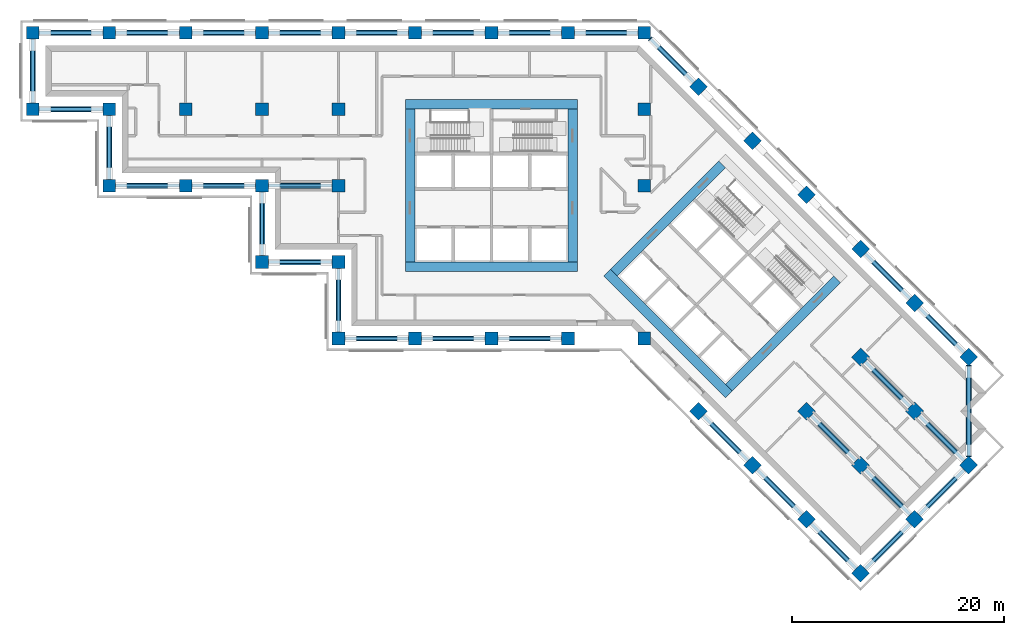
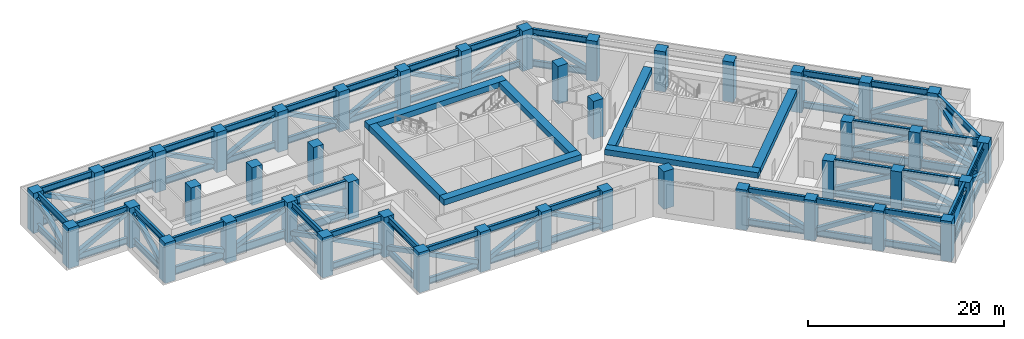
# One storey, part 1 of 8: 99 members, 43 columns, 8 beams.
"""IFC4 building model written with IfcOpenShell, lengths in metres."""

import ifcopenshell
import ifcopenshell.guid

model = None  # the IFC model being written
_history = None  # IfcOwnerHistory: only IFC2X3 demands one
_inside = {}  # id of a spatial element -> (the spatial element, [elements in it])
_under = {}  # id of a project, library or spatial element -> (it, [spatial elements below it])
_declared = {}  # id of a project -> (the project, [libraries it declares])
_typed = {}  # id of a type object -> (the type object, [elements of that type])
_made_of = {}  # id of a material, layer set ... -> (it, [elements and type objects made of it])


def new_model(schema):
    """Start an empty IFC model of exactly this schema.

    Asked for "IFC4X3", IfcOpenShell would pick the latest addendum, in which some entities
    have other attributes; the version numbers below select the first issue.
    IFC2X3 requires an IfcOwnerHistory on every rooted entity: one is made here for all.
    """
    global model, _history
    if schema == "IFC4X3":
        model = ifcopenshell.file(schema_version=(4, 3, 0, 0))
    else:
        model = ifcopenshell.file(schema=schema)
    _inside.clear()
    _under.clear()
    _declared.clear()
    _typed.clear()
    _made_of.clear()
    _history = None
    if model.schema == "IFC2X3":
        org = make("IfcOrganization", Name="unknown")
        user = make(
            "IfcPersonAndOrganization",
            ThePerson=make("IfcPerson", FamilyName="unknown"),
            TheOrganization=org,
        )
        app = make(
            "IfcApplication",
            ApplicationDeveloper=org,
            Version="unknown",
            ApplicationFullName="unknown",
            ApplicationIdentifier="unknown",
        )
        _history = make(
            "IfcOwnerHistory",
            OwningUser=user,
            OwningApplication=app,
            ChangeAction="ADDED",
            CreationDate=0,
        )
    return model


def make(cls, **values):
    """One entity of the class cls with the attributes given. An attribute that is None is left unset."""
    return model.create_entity(
        cls, **{name: value for name, value in values.items() if value is not None}
    )


def rooted(cls, **values):
    """An entity with a GlobalId (a new one), such as an element, a storey or a relation."""
    return make(cls, GlobalId=ifcopenshell.guid.new(), OwnerHistory=_history, **values)


def si_unit(unit_type, name, prefix=None):
    """IfcSIUnit, for example si_unit("LENGTHUNIT", "METRE", prefix="MILLI")."""
    return make("IfcSIUnit", UnitType=unit_type, Prefix=prefix, Name=name)


def assignment(units):
    """IfcUnitAssignment: the units of a project."""
    return None if units is None else make("IfcUnitAssignment", Units=units)


def point(xyz):
    """IfcCartesianPoint."""
    return None if xyz is None else make("IfcCartesianPoint", Coordinates=xyz)


def direction(xyz):
    """IfcDirection."""
    return None if xyz is None else make("IfcDirection", DirectionRatios=xyz)


def frame(location, z_axis=None, x_axis=None):
    """IfcAxis2Placement3D, a coordinate frame: its origin and axes. An axis left out is left unset."""
    return make(
        "IfcAxis2Placement3D",
        Location=point(location),
        Axis=direction(z_axis),
        RefDirection=direction(x_axis),
    )


def frame_2d(location, x_axis=None):
    """IfcAxis2Placement2D, a coordinate frame in the plane: its origin and x axis."""
    return make(
        "IfcAxis2Placement2D", Location=point(location), RefDirection=direction(x_axis)
    )


def origin():
    """The frame at (0, 0, 0) with its axes left unset."""
    return frame((0.0, 0.0, 0.0))


def origin_2d():
    """The frame at (0, 0) in the plane with its x axis left unset."""
    return frame_2d((0.0, 0.0))


def place(relative_to, where):
    """IfcLocalPlacement: puts the frame where relative to a parent placement (None: the world)."""
    return make(
        "IfcLocalPlacement", PlacementRelTo=relative_to, RelativePlacement=where
    )


def context(
    kind, dimensions, precision=None, world=None, true_north=None, identifier=None
):
    """IfcGeometricRepresentationContext, for example the 3D "Model" context."""
    return make(
        "IfcGeometricRepresentationContext",
        ContextIdentifier=identifier,
        ContextType=kind,
        CoordinateSpaceDimension=dimensions,
        Precision=precision,
        WorldCoordinateSystem=world,
        TrueNorth=true_north,
    )


def subcontext(parent, identifier, kind, view, scale=None):
    """IfcGeometricRepresentationSubContext, for example "Body" below "Model"."""
    return make(
        "IfcGeometricRepresentationSubContext",
        ContextIdentifier=identifier,
        ContextType=kind,
        ParentContext=parent,
        TargetScale=scale,
        TargetView=view,
    )


def project(units=None, contexts=None):
    """IfcProject with its units and contexts."""
    return rooted(
        "IfcProject",
        Name="project",
        RepresentationContexts=contexts,
        UnitsInContext=assignment(units),
    )


def spatial(cls, under=None, at=None, **own):
    """A site, building, storey or space (cls), placed at a placement, below another one or the project."""
    s = rooted(cls, ObjectPlacement=at, **own)
    if under is not None:
        _under.setdefault(under.id(), (under, []))[1].append(s)
    return s


def profile(cls, at=None, kind="AREA", **sizes):
    """A parametric profile (cls). Its sizes go by their IFC names, for example OverallWidth=200.0."""
    return make(cls, ProfileType=kind, Position=at, **sizes)


def rectangle(**sizes):
    """IfcRectangleProfileDef."""
    return profile("IfcRectangleProfileDef", **sizes)


def hollow_rectangle(**sizes):
    """IfcRectangleHollowProfileDef."""
    return profile("IfcRectangleHollowProfileDef", **sizes)


def i_section(**sizes):
    """IfcIShapeProfileDef."""
    return profile("IfcIShapeProfileDef", **sizes)


def extrude(swept, where, along, depth):
    """IfcExtrudedAreaSolid: the profile swept, set in the frame where, extruded along a direction by depth."""
    return make(
        "IfcExtrudedAreaSolid",
        SweptArea=swept,
        Position=where,
        ExtrudedDirection=direction(along),
        Depth=depth,
    )


def shape(context_of_items, identifier, shape_type, items):
    """IfcShapeRepresentation: the items that make up one representation, for example the "Body"."""
    return make(
        "IfcShapeRepresentation",
        ContextOfItems=context_of_items,
        RepresentationIdentifier=identifier,
        RepresentationType=shape_type,
        Items=items,
    )


def material(Name=None, Category=None):
    """IfcMaterial."""
    return make("IfcMaterial", Name=Name, Category=Category)


def material_profile(
    of_material, cross_section, Name=None, Category=None, Priority=None
):
    """IfcMaterialProfile: a cross section and its material."""
    return make(
        "IfcMaterialProfile",
        Name=Name,
        Material=of_material,
        Profile=cross_section,
        Priority=Priority,
        Category=Category,
    )


def profile_set(profiles, Name=None, composite=None):
    """IfcMaterialProfileSet."""
    return make(
        "IfcMaterialProfileSet",
        Name=Name,
        MaterialProfiles=profiles,
        CompositeProfile=composite,
    )


def made_of(thing, what):
    """Note that an element or type object is made of a material, layer set ...; save() writes the relation."""
    if what is not None:
        _made_of.setdefault(what.id(), (what, []))[1].append(thing)
    return thing


def type_object(cls, material=None, **own):
    """A type object (cls), such as IfcWallType, which elements share."""
    return made_of(rooted(cls, **own), material)


def element(
    cls,
    number,
    at=None,
    inside=None,
    cuts=None,
    type_object=None,
    material=None,
    context=None,
    identifier="Body",
    shape_type=None,
    held_by="IfcProductDefinitionShape",
    body=None,
    shapes=None,
    **own,
):
    """One element of the class cls, such as IfcWall. Its Tag is "e" and its number.

    at: its placement. inside: the storey or other place that contains it. cuts: it is an
    opening in that element (IfcRelVoidsElement). A single representation is given by context,
    identifier, shape_type and body (its items); several are given by shapes. held_by: the class
    of the entity that holds the representations. save() writes the other relations.
    """
    e = rooted(cls, Tag="e%d" % number, ObjectPlacement=at, **own)
    if body is not None:
        shapes = [shape(context, identifier, shape_type, body)]
    if shapes is not None:
        e.Representation = make(held_by, Representations=shapes)
    if inside is not None:
        _inside.setdefault(inside.id(), (inside, []))[1].append(e)
    if cuts is not None:
        rooted(
            "IfcRelVoidsElement", RelatingBuildingElement=cuts, RelatedOpeningElement=e
        )
    if type_object is not None:
        _typed.setdefault(type_object.id(), (type_object, []))[1].append(e)
    return made_of(e, material)


def aggregate(whole, parts):
    """IfcRelAggregates: a whole, such as a stair, and the parts it consists of."""
    return rooted("IfcRelAggregates", RelatingObject=whole, RelatedObjects=parts)


def save(model, path):
    """Write the relations noted so far, then the file.

    IfcRelAggregates (storeys below a building ...), IfcRelContainedInSpatialStructure (elements
    in a storey), IfcRelDefinesByType, IfcRelAssociatesMaterial and IfcRelDeclares: one each for
    every whole, place, type object, material and project.
    """
    for whole, parts in _under.values():
        aggregate(whole, parts)
    for where, things in _inside.values():
        rooted(
            "IfcRelContainedInSpatialStructure",
            RelatedElements=things,
            RelatingStructure=where,
        )
    for kind, things in _typed.values():
        rooted("IfcRelDefinesByType", RelatedObjects=things, RelatingType=kind)
    for what, things in _made_of.values():
        rooted("IfcRelAssociatesMaterial", RelatedObjects=things, RelatingMaterial=what)
    for by, libraries in _declared.values():
        rooted("IfcRelDeclares", RelatingContext=by, RelatedDefinitions=libraries)
    model.write(path)


model = new_model("IFC4")

# Units and contexts
model_context = context("Model", 3, precision=1e-05, world=origin(), true_north=direction((0.0, 1.0)))
body_context = subcontext(model_context, "Body", "Model", "MODEL_VIEW")
ifc_project = project(units=[si_unit("LENGTHUNIT", "METRE"), si_unit("AREAUNIT", "SQUARE_METRE"), si_unit("VOLUMEUNIT", "CUBIC_METRE"), si_unit("PLANEANGLEUNIT", "RADIAN"), si_unit("MASSUNIT", "GRAM", prefix="KILO")], contexts=[model_context])

# Site, building, storey
site_placement = place(None, origin())
site = spatial("IfcSite", under=ifc_project, at=site_placement, CompositionType="ELEMENT")
building_placement = place(site_placement, origin())
building = spatial("IfcBuilding", under=site, at=building_placement, Name="Windrow Commons", CompositionType="ELEMENT")
storey_placement = place(building_placement, frame((0.0, 0.0, 72.0)))
storey = spatial("IfcBuildingStorey", under=building, at=storey_placement, Name="L19", CompositionType="ELEMENT", Elevation=72.0)

# Columns
ifc_material_1 = material(Name="Concrete C60/75", Category="concrete")
ifc_material_profile_1 = material_profile(ifc_material_1, rectangle(XDim=1.2, YDim=1.2, at=origin_2d()))
ifc_profile_set_1 = profile_set([ifc_material_profile_1], Name="Concrete C60/75")
column_type = type_object("IfcColumnType", Name="RC COLUMN 1200x1200 C60/75", PredefinedType="COLUMN", material=ifc_profile_set_1)
for number, where, z_axis, x_axis, name in (
    (1, (21.6, 64.8, -0.3), (0.0, 0.0, 1.0), (1.0, 0.0, 0.0), "C-SG1-04I"),
    (2, (21.6, 72.0, -0.3), (0.0, 0.0, 1.0), (1.0, 0.0, 0.0), "C-SG1-04J"),
    (3, (28.8, 57.6, -0.3), (0.0, 0.0, 1.0), (1.0, 0.0, 0.0), "C-SG1-05H"),
    (4, (28.8, 64.8, -0.3), (0.0, 0.0, 1.0), (1.0, 0.0, 0.0), "C-SG1-05I"),
    (5, (28.8, 72.0, -0.3), (0.0, 0.0, 1.0), (1.0, 0.0, 0.0), "C-SG1-05J"),
    (6, (36.0, 57.6, -0.3), (0.0, 0.0, 1.0), (1.0, 0.0, 0.0), "C-SG1-06H"),
):
    element("IfcColumn", number, at=place(storey_placement, frame(where, z_axis=z_axis, x_axis=x_axis)), inside=storey, type_object=column_type, Name=name, PredefinedType="COLUMN", context=body_context, shape_type="SweptSolid", body=[
        extrude(rectangle(XDim=1.2, YDim=1.2, at=origin_2d()), origin(), (0.0, 0.0, 1.0), 5.0),
    ])
column_1_placement = place(storey_placement, frame((36.0, 64.8, 0.0), z_axis=(0.0, 0.0, 1.0), x_axis=(1.0, 0.0, 0.0)))
element("IfcColumn", 7, at=column_1_placement, inside=storey, type_object=column_type, Name="C-SG1-06I", PredefinedType="COLUMN", context=body_context, shape_type="SweptSolid", body=[
    extrude(rectangle(XDim=1.2, YDim=1.2, at=origin_2d()), origin(), (0.0, 0.0, 1.0), 4.7),
])
for number, where, z_axis, x_axis, name in (
    (8, (36.0, 72.0, -0.3), (0.0, 0.0, 1.0), (1.0, 0.0, 0.0), "C-SG1-06J"),
    (9, (43.2, 50.4, -0.3), (0.0, 0.0, 1.0), (1.0, 0.0, 0.0), "C-SG1-07G"),
    (10, (43.2, 57.6, -0.3), (0.0, 0.0, 1.0), (1.0, 0.0, 0.0), "C-SG1-07H"),
):
    element("IfcColumn", number, at=place(storey_placement, frame(where, z_axis=z_axis, x_axis=x_axis)), inside=storey, type_object=column_type, Name=name, PredefinedType="COLUMN", context=body_context, shape_type="SweptSolid", body=[
        extrude(rectangle(XDim=1.2, YDim=1.2, at=origin_2d()), origin(), (0.0, 0.0, 1.0), 5.0),
    ])
column_2_placement = place(storey_placement, frame((43.2, 64.8, 0.0), z_axis=(0.0, 0.0, 1.0), x_axis=(1.0, 0.0, 0.0)))
element("IfcColumn", 11, at=column_2_placement, inside=storey, type_object=column_type, Name="C-SG1-07I", PredefinedType="COLUMN", context=body_context, shape_type="SweptSolid", body=[
    extrude(rectangle(XDim=1.2, YDim=1.2, at=origin_2d()), origin(), (0.0, 0.0, 1.0), 4.7),
])
for number, where, z_axis, x_axis, name in (
    (12, (43.2, 72.0, -0.3), (0.0, 0.0, 1.0), (1.0, 0.0, 0.0), "C-SG1-07J"),
    (13, (50.4, 43.2, -0.3), (0.0, 0.0, 1.0), (1.0, 0.0, 0.0), "C-SG1-08F"),
    (14, (50.4, 50.4, -0.3), (0.0, 0.0, 1.0), (1.0, 0.0, 0.0), "C-SG1-08G"),
):
    element("IfcColumn", number, at=place(storey_placement, frame(where, z_axis=z_axis, x_axis=x_axis)), inside=storey, type_object=column_type, Name=name, PredefinedType="COLUMN", context=body_context, shape_type="SweptSolid", body=[
        extrude(rectangle(XDim=1.2, YDim=1.2, at=origin_2d()), origin(), (0.0, 0.0, 1.0), 5.0),
    ])
for number, where, z_axis, x_axis, name in (
    (15, (50.4, 57.6, 0.0), (0.0, 0.0, 1.0), (1.0, 0.0, 0.0), "C-SG1-08H"),
    (16, (50.4, 64.8, 0.0), (0.0, 0.0, 1.0), (1.0, 0.0, 0.0), "C-SG1-08I"),
):
    element("IfcColumn", number, at=place(storey_placement, frame(where, z_axis=z_axis, x_axis=x_axis)), inside=storey, type_object=column_type, Name=name, PredefinedType="COLUMN", context=body_context, shape_type="SweptSolid", body=[
        extrude(rectangle(XDim=1.2, YDim=1.2, at=origin_2d()), origin(), (0.0, 0.0, 1.0), 4.7),
    ])
for number, where, z_axis, x_axis, name in (
    (17, (50.4, 72.0, -0.3), (0.0, 0.0, 1.0), (1.0, 0.0, 0.0), "C-SG1-08J"),
    (18, (57.6, 43.2, -0.3), (0.0, 0.0, 1.0), (1.0, 0.0, 0.0), "C-SG1-09F"),
    (19, (57.6, 72.0, -0.3), (0.0, 0.0, 1.0), (1.0, 0.0, 0.0), "C-SG1-09J"),
    (20, (64.8, 43.2, -0.3), (0.0, 0.0, 1.0), (1.0, 0.0, 0.0), "C-SG1-10F"),
    (21, (64.8, 72.0, -0.3), (0.0, 0.0, 1.0), (1.0, 0.0, 0.0), "C-SG1-10J"),
    (22, (72.0, 43.2, -0.3), (0.0, 0.0, 1.0), (1.0, 0.0, 0.0), "C-SG1-11F"),
    (23, (72.0, 72.0, -0.3), (0.0, 0.0, 1.0), (1.0, 0.0, 0.0), "C-SG1-11J"),
):
    element("IfcColumn", number, at=place(storey_placement, frame(where, z_axis=z_axis, x_axis=x_axis)), inside=storey, type_object=column_type, Name=name, PredefinedType="COLUMN", context=body_context, shape_type="SweptSolid", body=[
        extrude(rectangle(XDim=1.2, YDim=1.2, at=origin_2d()), origin(), (0.0, 0.0, 1.0), 5.0),
    ])
for number, where, z_axis, x_axis, name in (
    (24, (79.2, 43.2, 0.0), (0.0, 0.0, 1.0), (1.0, 0.0, 0.0), "C-SG1-12F"),
    (25, (79.2, 57.6, 0.0), (0.0, 0.0, 1.0), (1.0, 0.0, 0.0), "C-SG1-12H"),
    (26, (79.2, 64.8, 0.0), (0.0, 0.0, 1.0), (1.0, 0.0, 0.0), "C-SG1-12I"),
):
    element("IfcColumn", number, at=place(storey_placement, frame(where, z_axis=z_axis, x_axis=x_axis)), inside=storey, type_object=column_type, Name=name, PredefinedType="COLUMN", context=body_context, shape_type="SweptSolid", body=[
        extrude(rectangle(XDim=1.2, YDim=1.2, at=origin_2d()), origin(), (0.0, 0.0, 1.0), 4.7),
    ])
for number, where, z_axis, x_axis, name in (
    (27, (79.2, 72.0, -0.3), (0.0, 0.0, 1.0), (1.0, 0.0, 0.0), "C-SG1-12J"),
    (28, (84.2912, 66.9088, -0.3), (0.0, 0.0, 1.0), (0.7071067812, -0.7071067812, 0.0), "C-SG1-P2Q"),
    (29, (89.3823, 61.8177, -0.3), (0.0, 0.0, 1.0), (0.7071067812, -0.7071067812, 0.0), "C-SG1-P3Q"),
    (30, (94.4735, 56.7265, -0.3), (0.0, 0.0, 1.0), (0.7071067812, -0.7071067812, 0.0), "C-SG1-P4Q"),
    (31, (99.5647, 51.6353, -0.3), (0.0, 0.0, 1.0), (0.7071067812, -0.7071067812, 0.0), "C-SG1-P5Q"),
    (32, (84.2912, 36.3618, -0.3), (0.0, 0.0, 1.0), (0.7071067812, -0.7071067812, 0.0), "C-SG1-P5T"),
    (33, (104.6558, 46.5442, -0.3), (0.0, 0.0, 1.0), (0.7071067812, -0.7071067812, 0.0), "C-SG1-P6Q"),
):
    element("IfcColumn", number, at=place(storey_placement, frame(where, z_axis=z_axis, x_axis=x_axis)), inside=storey, type_object=column_type, Name=name, PredefinedType="COLUMN", context=body_context, shape_type="SweptSolid", body=[
        extrude(rectangle(XDim=1.2, YDim=1.2, at=origin_2d()), origin(), (0.0, 0.0, 1.0), 5.0),
    ])
for number, where, z_axis, x_axis, name in (
    (34, (99.5647, 41.453, 0.0), (0.0, 0.0, 1.0), (0.7071067812, -0.7071067812, 0.0), "C-SG1-P6R"),
    (35, (94.4735, 36.3618, 0.0), (0.0, 0.0, 1.0), (0.7071067812, -0.7071067812, 0.0), "C-SG1-P6S"),
):
    element("IfcColumn", number, at=place(storey_placement, frame(where, z_axis=z_axis, x_axis=x_axis)), inside=storey, type_object=column_type, Name=name, PredefinedType="COLUMN", context=body_context, shape_type="SweptSolid", body=[
        extrude(rectangle(XDim=1.2, YDim=1.2, at=origin_2d()), origin(), (0.0, 0.0, 1.0), 4.7),
    ])
for number, where, z_axis, x_axis, name in (
    (36, (89.3823, 31.2706, -0.3), (0.0, 0.0, 1.0), (0.7071067812, -0.7071067812, 0.0), "C-SG1-P6T"),
    (37, (109.747, 41.453, -0.3), (0.0, 0.0, 1.0), (0.7071067812, -0.7071067812, 0.0), "C-SG1-P7Q"),
):
    element("IfcColumn", number, at=place(storey_placement, frame(where, z_axis=z_axis, x_axis=x_axis)), inside=storey, type_object=column_type, Name=name, PredefinedType="COLUMN", context=body_context, shape_type="SweptSolid", body=[
        extrude(rectangle(XDim=1.2, YDim=1.2, at=origin_2d()), origin(), (0.0, 0.0, 1.0), 5.0),
    ])
for number, where, z_axis, x_axis, name in (
    (38, (104.6558, 36.3618, 0.0), (0.0, 0.0, 1.0), (0.7071067812, -0.7071067812, 0.0), "C-SG1-P7R"),
    (39, (99.5647, 31.2706, 0.0), (0.0, 0.0, 1.0), (0.7071067812, -0.7071067812, 0.0), "C-SG1-P7S"),
):
    element("IfcColumn", number, at=place(storey_placement, frame(where, z_axis=z_axis, x_axis=x_axis)), inside=storey, type_object=column_type, Name=name, PredefinedType="COLUMN", context=body_context, shape_type="SweptSolid", body=[
        extrude(rectangle(XDim=1.2, YDim=1.2, at=origin_2d()), origin(), (0.0, 0.0, 1.0), 4.7),
    ])
for number, where, z_axis, x_axis, name in (
    (40, (94.4735, 26.1795, -0.3), (0.0, 0.0, 1.0), (0.7071067812, -0.7071067812, 0.0), "C-SG1-P7T"),
    (41, (109.747, 31.2706, -0.3), (0.0, 0.0, 1.0), (0.7071067812, -0.7071067812, 0.0), "C-SG1-P8R"),
    (42, (104.6558, 26.1795, -0.3), (0.0, 0.0, 1.0), (0.7071067812, -0.7071067812, 0.0), "C-SG1-P8S"),
    (43, (99.5647, 21.0883, -0.3), (0.0, 0.0, 1.0), (0.7071067812, -0.7071067812, 0.0), "C-SG1-P8T"),
):
    element("IfcColumn", number, at=place(storey_placement, frame(where, z_axis=z_axis, x_axis=x_axis)), inside=storey, type_object=column_type, Name=name, PredefinedType="COLUMN", context=body_context, shape_type="SweptSolid", body=[
        extrude(rectangle(XDim=1.2, YDim=1.2, at=origin_2d()), origin(), (0.0, 0.0, 1.0), 5.0),
    ])

# Beams
ifc_material_2 = material(Name="Concrete C60/75", Category="concrete")
ifc_material_profile_2 = material_profile(ifc_material_2, rectangle(XDim=0.9, YDim=0.7, at=origin_2d()))
ifc_profile_set_2 = profile_set([ifc_material_profile_2], Name="Concrete C60/75")
beam_type_1 = type_object("IfcBeamType", Name="RC COUPLING BEAM 900x700 C60/75", PredefinedType="LINTEL", material=ifc_profile_set_2)
for number, where, z_axis, x_axis, name in (
    (44, (56.7, 49.95, 4.35), (1.0, 0.0, 0.0), (0.0, 1.0, 0.0), "Core A coupling beam outer-S"),
    (45, (56.7, 65.25, 4.35), (1.0, 0.0, 0.0), (0.0, 1.0, 0.0), "Core A coupling beam outer-N"),
):
    element("IfcBeam", number, at=place(storey_placement, frame(where, z_axis=z_axis, x_axis=x_axis)), inside=storey, type_object=beam_type_1, Name=name, PredefinedType="LINTEL", context=body_context, shape_type="SweptSolid", body=[
        extrude(rectangle(XDim=0.9, YDim=0.7, at=origin_2d()), origin(), (0.0, 0.0, 1.0), 16.2),
    ])
for number, where, z_axis, x_axis, name in (
    (46, (57.15, 50.4, 4.35), (0.0, 1.0, 0.0), (-1.0, 0.0, 0.0), "Core A coupling beam outer-W"),
    (47, (72.45, 50.4, 4.35), (0.0, 1.0, 0.0), (-1.0, 0.0, 0.0), "Core A coupling beam outer-E"),
):
    element("IfcBeam", number, at=place(storey_placement, frame(where, z_axis=z_axis, x_axis=x_axis)), inside=storey, type_object=beam_type_1, Name=name, PredefinedType="LINTEL", context=body_context, shape_type="SweptSolid", body=[
        extrude(rectangle(XDim=0.9, YDim=0.7, at=origin_2d()), origin(), (0.0, 0.0, 1.0), 14.4),
    ])
beam_1_placement = place(storey_placement, frame((75.6998, 49.4079, 4.35), z_axis=(0.7071098676, -0.7071036948, 0.0), x_axis=(0.7071036948, 0.7071098676, 0.0)))
element("IfcBeam", 48, at=beam_1_placement, inside=storey, type_object=beam_type_1, Name="Core B coupling beam outer-S", PredefinedType="LINTEL", context=body_context, shape_type="SweptSolid", body=[
    extrude(rectangle(XDim=0.9, YDim=0.7, at=origin_2d()), origin(), (0.0, 0.0, 1.0), 16.2),
])
beam_2_placement = place(storey_placement, frame((76.3362, 49.4079, 4.35), z_axis=(0.7071067812, 0.7071067812, 0.0), x_axis=(-0.7071067812, 0.7071067812, 0.0)))
element("IfcBeam", 49, at=beam_2_placement, inside=storey, type_object=beam_type_1, Name="Core B coupling beam outer-W", PredefinedType="LINTEL", context=body_context, shape_type="SweptSolid", body=[
    extrude(rectangle(XDim=0.9, YDim=0.7, at=origin_2d()), origin(), (0.0, 0.0, 1.0), 14.4001),
])
beam_3_placement = place(storey_placement, frame((87.155, 38.5892, 4.35), z_axis=(0.7071067812, 0.7071067812, 0.0), x_axis=(-0.7071067812, 0.7071067812, 0.0)))
element("IfcBeam", 50, at=beam_3_placement, inside=storey, type_object=beam_type_1, Name="Core B coupling beam outer-E", PredefinedType="LINTEL", context=body_context, shape_type="SweptSolid", body=[
    extrude(rectangle(XDim=0.9, YDim=0.7, at=origin_2d()), origin(), (0.0, 0.0, 1.0), 14.3999),
])
ifc_material_3 = material(Name="Concrete C60/75", Category="concrete")
ifc_material_profile_3 = material_profile(ifc_material_3, rectangle(XDim=0.4, YDim=0.5, at=origin_2d()))
ifc_profile_set_3 = profile_set([ifc_material_profile_3], Name="Concrete C60/75")
beam_type_2 = type_object("IfcBeamType", Name="RC EDGE BEAM 400x500 C60/75", PredefinedType="SPANDREL", material=ifc_profile_set_3)
beam_4_placement = place(storey_placement, frame((109.747, 40.6045, -0.55), z_axis=(0.0, -1.0, 0.0), x_axis=(1.0, 0.0, 0.0)))
element("IfcBeam", 51, at=beam_4_placement, inside=storey, type_object=beam_type_2, Name="Edge beam L19 001", PredefinedType="SPANDREL", context=body_context, shape_type="SweptSolid", body=[
    extrude(rectangle(XDim=0.4, YDim=0.5, at=origin_2d()), origin(), (0.0, 0.0, 1.0), 8.4854),
])

# Members
ifc_material_4 = material(Name="Steel S355", Category="steel")
ifc_material_profile_4 = material_profile(ifc_material_4, i_section(OverallWidth=0.3, OverallDepth=1.0, WebThickness=0.019, FlangeThickness=0.036, FilletRadius=0.03, at=origin_2d()))
ifc_profile_set_4 = profile_set([ifc_material_profile_4], Name="Steel S355")
member_type_1 = type_object("IfcMemberType", Name="STEEL OUTRIGGER CHORD HE1000B S355", PredefinedType="CHORD", material=ifc_profile_set_4)
for number, where, z_axis, x_axis, name in (
    (52, (49.8, 57.6, 0.5), (-1.0, 0.0, 0.0), (0.0, -1.0, 0.0), "outA-W chord 1 bot"),
    (53, (49.8, 57.6, 4.2), (-1.0, 0.0, 0.0), (0.0, -1.0, 0.0), "outA-W chord 1 top"),
    (54, (42.6, 57.6, 0.5), (-1.0, 0.0, 0.0), (0.0, -1.0, 0.0), "outA-W chord 2 bot"),
    (55, (42.6, 57.6, 4.2), (-1.0, 0.0, 0.0), (0.0, -1.0, 0.0), "outA-W chord 2 top"),
    (56, (35.4, 57.6, 0.5), (-1.0, 0.0, 0.0), (0.0, -1.0, 0.0), "outA-W chord 3 bot"),
    (57, (35.4, 57.6, 4.2), (-1.0, 0.0, 0.0), (0.0, -1.0, 0.0), "outA-W chord 3 top"),
):
    element("IfcMember", number, at=place(storey_placement, frame(where, z_axis=z_axis, x_axis=x_axis)), inside=storey, type_object=member_type_1, Name=name, PredefinedType="CHORD", context=body_context, shape_type="SweptSolid", body=[
        extrude(i_section(OverallWidth=0.3, OverallDepth=1.0, WebThickness=0.019, FlangeThickness=0.036, FilletRadius=0.03, at=origin_2d()), origin(), (0.0, 0.0, 1.0), 6.0),
    ])
for number, where, z_axis, x_axis, name in (
    (58, (99.989, 41.0287, 0.5), (0.7070984476, -0.7071151146, 0.0), (0.7071151146, 0.7070984476, 0.0), "outB-1 chord 1 bot"),
    (59, (99.989, 41.0287, 4.2), (0.7070984476, -0.7071151146, 0.0), (0.7071151146, 0.7070984476, 0.0), "outB-1 chord 1 top"),
    (60, (105.0801, 35.9375, 0.5), (0.7071067812, -0.7071067812, 0.0), (0.7071067812, 0.7071067812, 0.0), "outB-1 chord 2 bot"),
    (61, (105.0801, 35.9375, 4.2), (0.7071067812, -0.7071067812, 0.0), (0.7071067812, 0.7071067812, 0.0), "outB-1 chord 2 top"),
    (62, (94.8978, 35.9375, 0.5), (0.7071067812, -0.7071067812, 0.0), (0.7071067812, 0.7071067812, 0.0), "outB-2 chord 1 bot"),
    (63, (94.8978, 35.9375, 4.2), (0.7071067812, -0.7071067812, 0.0), (0.7071067812, 0.7071067812, 0.0), "outB-2 chord 1 top"),
):
    element("IfcMember", number, at=place(storey_placement, frame(where, z_axis=z_axis, x_axis=x_axis)), inside=storey, type_object=member_type_1, Name=name, PredefinedType="CHORD", context=body_context, shape_type="SweptSolid", body=[
        extrude(i_section(OverallWidth=0.3, OverallDepth=1.0, WebThickness=0.019, FlangeThickness=0.036, FilletRadius=0.03, at=origin_2d()), origin(), (0.0, 0.0, 1.0), 5.9999),
    ])
for number, where, z_axis, x_axis, name in (
    (64, (99.989, 30.8463, 0.5), (0.7071067812, -0.7071067812, 0.0), (0.7071067812, 0.7071067812, 0.0), "outB-2 chord 2 bot"),
    (65, (99.989, 30.8463, 4.2), (0.7071067812, -0.7071067812, 0.0), (0.7071067812, 0.7071067812, 0.0), "outB-2 chord 2 top"),
):
    element("IfcMember", number, at=place(storey_placement, frame(where, z_axis=z_axis, x_axis=x_axis)), inside=storey, type_object=member_type_1, Name=name, PredefinedType="CHORD", context=body_context, shape_type="SweptSolid", body=[
        extrude(i_section(OverallWidth=0.3, OverallDepth=1.0, WebThickness=0.019, FlangeThickness=0.036, FilletRadius=0.03, at=origin_2d()), origin(), (0.0, 0.0, 1.0), 5.9998),
    ])
ifc_material_5 = material(Name="Steel S355", Category="steel")
ifc_material_profile_5 = material_profile(ifc_material_5, i_section(OverallWidth=0.3, OverallDepth=0.8, WebThickness=0.0175, FlangeThickness=0.033, FilletRadius=0.03, at=origin_2d()))
ifc_profile_set_5 = profile_set([ifc_material_profile_5], Name="Steel S355")
member_type_2 = type_object("IfcMemberType", Name="STEEL OUTRIGGER CHORD HE800B S355", PredefinedType="CHORD", material=ifc_profile_set_5)
for number, where, z_axis, x_axis, name in (
    (66, (71.4, 43.2, 0.4), (-1.0, 0.0, 0.0), (0.0, -1.0, 0.0), "belt00 chord 1 bot"),
    (67, (71.4, 43.2, 4.3), (-1.0, 0.0, 0.0), (0.0, -1.0, 0.0), "belt00 chord 1 top"),
    (68, (64.2, 43.2, 0.4), (-1.0, 0.0, 0.0), (0.0, -1.0, 0.0), "belt00 chord 2 bot"),
    (69, (64.2, 43.2, 4.3), (-1.0, 0.0, 0.0), (0.0, -1.0, 0.0), "belt00 chord 2 top"),
    (70, (57.0, 43.2, 0.4), (-1.0, 0.0, 0.0), (0.0, -1.0, 0.0), "belt00 chord 3 bot"),
    (71, (57.0, 43.2, 4.3), (-1.0, 0.0, 0.0), (0.0, -1.0, 0.0), "belt00 chord 3 top"),
    (72, (50.4, 43.8, 0.4), (0.0, 1.0, 0.0), (-1.0, 0.0, 0.0), "belt00 chord 4 bot"),
    (73, (50.4, 43.8, 4.3), (0.0, 1.0, 0.0), (-1.0, 0.0, 0.0), "belt00 chord 4 top"),
    (74, (49.8, 50.4, 0.4), (-1.0, 0.0, 0.0), (0.0, -1.0, 0.0), "belt00 chord 5 bot"),
    (75, (49.8, 50.4, 4.3), (-1.0, 0.0, 0.0), (0.0, -1.0, 0.0), "belt00 chord 5 top"),
    (76, (43.2, 51.0, 0.4), (0.0, 1.0, 0.0), (-1.0, 0.0, 0.0), "belt00 chord 6 bot"),
    (77, (43.2, 51.0, 4.3), (0.0, 1.0, 0.0), (-1.0, 0.0, 0.0), "belt00 chord 6 top"),
    (78, (28.8, 58.2, 0.4), (0.0, 1.0, 0.0), (-1.0, 0.0, 0.0), "belt00 chord 9 bot"),
    (79, (28.8, 58.2, 4.3), (0.0, 1.0, 0.0), (-1.0, 0.0, 0.0), "belt00 chord 9 top"),
    (80, (28.2, 64.8, 0.4), (-1.0, 0.0, 0.0), (0.0, -1.0, 0.0), "belt00 chord 10 bot"),
    (81, (28.2, 64.8, 4.3), (-1.0, 0.0, 0.0), (0.0, -1.0, 0.0), "belt00 chord 10 top"),
    (82, (21.6, 65.4, 0.4), (0.0, 1.0, 0.0), (-1.0, 0.0, 0.0), "belt00 chord 11 bot"),
    (83, (21.6, 65.4, 4.3), (0.0, 1.0, 0.0), (-1.0, 0.0, 0.0), "belt00 chord 11 top"),
    (84, (22.2, 72.0, 0.4), (1.0, 0.0, 0.0), (0.0, 1.0, 0.0), "belt00 chord 12 bot"),
    (85, (22.2, 72.0, 4.3), (1.0, 0.0, 0.0), (0.0, 1.0, 0.0), "belt00 chord 12 top"),
    (86, (29.4, 72.0, 0.4), (1.0, 0.0, 0.0), (0.0, 1.0, 0.0), "belt00 chord 13 bot"),
    (87, (29.4, 72.0, 4.3), (1.0, 0.0, 0.0), (0.0, 1.0, 0.0), "belt00 chord 13 top"),
    (88, (36.6, 72.0, 0.4), (1.0, 0.0, 0.0), (0.0, 1.0, 0.0), "belt00 chord 14 bot"),
    (89, (36.6, 72.0, 4.3), (1.0, 0.0, 0.0), (0.0, 1.0, 0.0), "belt00 chord 14 top"),
    (90, (43.8, 72.0, 0.4), (1.0, 0.0, 0.0), (0.0, 1.0, 0.0), "belt00 chord 15 bot"),
    (91, (43.8, 72.0, 4.3), (1.0, 0.0, 0.0), (0.0, 1.0, 0.0), "belt00 chord 15 top"),
    (92, (51.0, 72.0, 0.4), (1.0, 0.0, 0.0), (0.0, 1.0, 0.0), "belt00 chord 16 bot"),
    (93, (51.0, 72.0, 4.3), (1.0, 0.0, 0.0), (0.0, 1.0, 0.0), "belt00 chord 16 top"),
    (94, (58.2, 72.0, 0.4), (1.0, 0.0, 0.0), (0.0, 1.0, 0.0), "belt00 chord 17 bot"),
    (95, (58.2, 72.0, 4.3), (1.0, 0.0, 0.0), (0.0, 1.0, 0.0), "belt00 chord 17 top"),
    (96, (65.4, 72.0, 0.4), (1.0, 0.0, 0.0), (0.0, 1.0, 0.0), "belt00 chord 18 bot"),
    (97, (65.4, 72.0, 4.3), (1.0, 0.0, 0.0), (0.0, 1.0, 0.0), "belt00 chord 18 top"),
    (98, (72.6, 72.0, 0.4), (1.0, 0.0, 0.0), (0.0, 1.0, 0.0), "belt00 chord 19 bot"),
    (99, (72.6, 72.0, 4.3), (1.0, 0.0, 0.0), (0.0, 1.0, 0.0), "belt00 chord 19 top"),
):
    element("IfcMember", number, at=place(storey_placement, frame(where, z_axis=z_axis, x_axis=x_axis)), inside=storey, type_object=member_type_2, Name=name, PredefinedType="CHORD", context=body_context, shape_type="SweptSolid", body=[
        extrude(i_section(OverallWidth=0.3, OverallDepth=0.8, WebThickness=0.0175, FlangeThickness=0.033, FilletRadius=0.03, at=origin_2d()), origin(), (0.0, 0.0, 1.0), 6.0),
    ])
for number, where, z_axis, x_axis, name in (
    (100, (79.8, 71.4, 0.4), (0.7071067812, -0.7071067812, 0.0), (0.7071067812, 0.7071067812, 0.0), "belt00 chord 20 bot"),
    (101, (79.8, 71.4, 4.3), (0.7071067812, -0.7071067812, 0.0), (0.7071067812, 0.7071067812, 0.0), "belt00 chord 20 top"),
):
    element("IfcMember", number, at=place(storey_placement, frame(where, z_axis=z_axis, x_axis=x_axis)), inside=storey, type_object=member_type_2, Name=name, PredefinedType="CHORD", context=body_context, shape_type="SweptSolid", body=[
        extrude(i_section(OverallWidth=0.3, OverallDepth=0.8, WebThickness=0.0175, FlangeThickness=0.033, FilletRadius=0.03, at=origin_2d()), origin(), (0.0, 0.0, 1.0), 5.7515),
    ])
for number, where, z_axis, x_axis, name in (
    (102, (99.989, 51.211, 0.4), (0.7071067812, -0.7071067812, 0.0), (0.7071067812, 0.7071067812, 0.0), "belt00 chord 24 bot"),
    (103, (99.989, 51.211, 4.3), (0.7071067812, -0.7071067812, 0.0), (0.7071067812, 0.7071067812, 0.0), "belt00 chord 24 top"),
):
    element("IfcMember", number, at=place(storey_placement, frame(where, z_axis=z_axis, x_axis=x_axis)), inside=storey, type_object=member_type_2, Name=name, PredefinedType="CHORD", context=body_context, shape_type="SweptSolid", body=[
        extrude(i_section(OverallWidth=0.3, OverallDepth=0.8, WebThickness=0.0175, FlangeThickness=0.033, FilletRadius=0.03, at=origin_2d()), origin(), (0.0, 0.0, 1.0), 5.9998),
    ])
for number, where, z_axis, x_axis, name in (
    (104, (105.0801, 46.1199, 0.4), (0.7071067812, -0.7071067812, 0.0), (0.7071067812, 0.7071067812, 0.0), "belt00 chord 25 bot"),
    (105, (105.0801, 46.1199, 4.3), (0.7071067812, -0.7071067812, 0.0), (0.7071067812, 0.7071067812, 0.0), "belt00 chord 25 top"),
):
    element("IfcMember", number, at=place(storey_placement, frame(where, z_axis=z_axis, x_axis=x_axis)), inside=storey, type_object=member_type_2, Name=name, PredefinedType="CHORD", context=body_context, shape_type="SweptSolid", body=[
        extrude(i_section(OverallWidth=0.3, OverallDepth=0.8, WebThickness=0.0175, FlangeThickness=0.033, FilletRadius=0.03, at=origin_2d()), origin(), (0.0, 0.0, 1.0), 5.9999),
    ])
for number, where, z_axis, x_axis, name in (
    (106, (109.747, 40.6045, 0.4), (0.0, -1.0, 0.0), (1.0, 0.0, 0.0), "belt00 chord 26 bot"),
    (107, (109.747, 40.6045, 4.3), (0.0, -1.0, 0.0), (1.0, 0.0, 0.0), "belt00 chord 26 top"),
):
    element("IfcMember", number, at=place(storey_placement, frame(where, z_axis=z_axis, x_axis=x_axis)), inside=storey, type_object=member_type_2, Name=name, PredefinedType="CHORD", context=body_context, shape_type="SweptSolid", body=[
        extrude(i_section(OverallWidth=0.3, OverallDepth=0.8, WebThickness=0.0175, FlangeThickness=0.033, FilletRadius=0.03, at=origin_2d()), origin(), (0.0, 0.0, 1.0), 8.4854),
    ])
for number, where, z_axis, x_axis, name in (
    (108, (109.3227, 30.8463, 0.4), (-0.7071151146, -0.7070984476, 0.0), (0.7070984476, -0.7071151146, 0.0), "belt00 chord 27 bot"),
    (109, (109.3227, 30.8463, 4.3), (-0.7071151146, -0.7070984476, 0.0), (0.7070984476, -0.7071151146, 0.0), "belt00 chord 27 top"),
    (110, (104.2315, 25.7552, 0.4), (-0.7070984476, -0.7071151146, 0.0), (0.7071151146, -0.7070984476, 0.0), "belt00 chord 28 bot"),
    (111, (104.2315, 25.7552, 4.3), (-0.7070984476, -0.7071151146, 0.0), (0.7071151146, -0.7070984476, 0.0), "belt00 chord 28 top"),
    (112, (99.1404, 21.5126, 0.4), (-0.7071067812, 0.7071067812, 0.0), (-0.7071067812, -0.7071067812, 0.0), "belt00 chord 29 bot"),
    (113, (99.1404, 21.5126, 4.3), (-0.7071067812, 0.7071067812, 0.0), (-0.7071067812, -0.7071067812, 0.0), "belt00 chord 29 top"),
    (114, (94.0492, 26.6038, 0.4), (-0.7071151146, 0.7070984476, 0.0), (-0.7070984476, -0.7071151146, 0.0), "belt00 chord 30 bot"),
    (115, (94.0492, 26.6038, 4.3), (-0.7071151146, 0.7070984476, 0.0), (-0.7070984476, -0.7071151146, 0.0), "belt00 chord 30 top"),
    (116, (88.958, 31.6949, 0.4), (-0.7070984476, 0.7071151146, 0.0), (-0.7071151146, -0.7070984476, 0.0), "belt00 chord 31 bot"),
    (117, (88.958, 31.6949, 4.3), (-0.7070984476, 0.7071151146, 0.0), (-0.7071151146, -0.7070984476, 0.0), "belt00 chord 31 top"),
):
    element("IfcMember", number, at=place(storey_placement, frame(where, z_axis=z_axis, x_axis=x_axis)), inside=storey, type_object=member_type_2, Name=name, PredefinedType="CHORD", context=body_context, shape_type="SweptSolid", body=[
        extrude(i_section(OverallWidth=0.3, OverallDepth=0.8, WebThickness=0.0175, FlangeThickness=0.033, FilletRadius=0.03, at=origin_2d()), origin(), (0.0, 0.0, 1.0), 5.9999),
    ])
ifc_material_6 = material(Name="Steel S355", Category="steel")
ifc_material_profile_6 = material_profile(ifc_material_6, hollow_rectangle(XDim=0.5, YDim=0.5, WallThickness=0.025, at=origin_2d()))
ifc_profile_set_6 = profile_set([ifc_material_profile_6], Name="Steel S355")
member_type_3 = type_object("IfcMemberType", Name="STEEL OUTRIGGER DIAGONAL RHS500x500x25 S355", PredefinedType="BRACE", material=ifc_profile_set_6)
for number, where, z_axis, x_axis, name in (
    (118, (71.4, 43.2, 0.8), (-0.8884259069, 0.0, 0.4590200519), (0.0, -1.0, 0.0), "belt00 diagonal 1"),
    (119, (64.2, 43.2, 3.9), (-0.8884259069, 0.0, -0.4590200519), (0.0, -1.0, 0.0), "belt00 diagonal 2"),
    (120, (57.0, 43.2, 0.8), (-0.8884259069, 0.0, 0.4590200519), (0.0, -1.0, 0.0), "belt00 diagonal 3"),
    (121, (50.4, 43.8, 3.9), (0.0, 0.8884259069, -0.4590200519), (-1.0, 0.0, 0.0), "belt00 diagonal 4"),
    (122, (49.8, 50.4, 0.8), (-0.8884259069, 0.0, 0.4590200519), (0.0, -1.0, 0.0), "belt00 diagonal 5"),
    (123, (43.2, 51.0, 3.9), (0.0, 0.8884259069, -0.4590200519), (-1.0, 0.0, 0.0), "belt00 diagonal 6"),
    (124, (28.8, 58.2, 0.8), (0.0, 0.8884259069, 0.4590200519), (-1.0, 0.0, 0.0), "belt00 diagonal 9"),
    (125, (28.2, 64.8, 3.9), (-0.8884259069, 0.0, -0.4590200519), (0.0, -1.0, 0.0), "belt00 diagonal 10"),
    (126, (21.6, 65.4, 0.8), (0.0, 0.8884259069, 0.4590200519), (-1.0, 0.0, 0.0), "belt00 diagonal 11"),
    (127, (22.2, 72.0, 3.9), (0.8884259069, 0.0, -0.4590200519), (0.0, 1.0, 0.0), "belt00 diagonal 12"),
    (128, (29.4, 72.0, 0.8), (0.8884259069, 0.0, 0.4590200519), (0.0, 1.0, 0.0), "belt00 diagonal 13"),
    (129, (36.6, 72.0, 3.9), (0.8884259069, 0.0, -0.4590200519), (0.0, 1.0, 0.0), "belt00 diagonal 14"),
    (130, (43.8, 72.0, 0.8), (0.8884259069, 0.0, 0.4590200519), (0.0, 1.0, 0.0), "belt00 diagonal 15"),
    (131, (51.0, 72.0, 3.9), (0.8884259069, 0.0, -0.4590200519), (0.0, 1.0, 0.0), "belt00 diagonal 16"),
    (132, (58.2, 72.0, 0.8), (0.8884259069, 0.0, 0.4590200519), (0.0, 1.0, 0.0), "belt00 diagonal 17"),
    (133, (65.4, 72.0, 3.9), (0.8884259069, 0.0, -0.4590200519), (0.0, 1.0, 0.0), "belt00 diagonal 18"),
    (134, (72.6, 72.0, 0.8), (0.8884259069, 0.0, 0.4590200519), (0.0, 1.0, 0.0), "belt00 diagonal 19"),
):
    element("IfcMember", number, at=place(storey_placement, frame(where, z_axis=z_axis, x_axis=x_axis)), inside=storey, type_object=member_type_3, Name=name, PredefinedType="BRACE", context=body_context, shape_type="SweptSolid", body=[
        extrude(hollow_rectangle(XDim=0.5, YDim=0.5, WallThickness=0.025, at=origin_2d()), origin(), (0.0, 0.0, 1.0), 6.7535),
    ])
member_1_placement = place(storey_placement, frame((79.8, 71.4, 3.9), z_axis=(0.6224489182, -0.6224489182, -0.4744625259), x_axis=(0.7071067812, 0.7071067812, 0.0)))
element("IfcMember", 135, at=member_1_placement, inside=storey, type_object=member_type_3, Name="belt00 diagonal 20", PredefinedType="BRACE", context=body_context, shape_type="SweptSolid", body=[
    extrude(hollow_rectangle(XDim=0.5, YDim=0.5, WallThickness=0.025, at=origin_2d()), origin(), (0.0, 0.0, 1.0), 6.5337),
])
member_2_placement = place(storey_placement, frame((99.989, 51.211, 3.9), z_axis=(0.6282075939, -0.6282075939, -0.4590320663), x_axis=(0.7071067812, 0.7071067812, 0.0)))
element("IfcMember", 136, at=member_2_placement, inside=storey, type_object=member_type_3, Name="belt00 diagonal 24", PredefinedType="BRACE", context=body_context, shape_type="SweptSolid", body=[
    extrude(hollow_rectangle(XDim=0.5, YDim=0.5, WallThickness=0.025, at=origin_2d()), origin(), (0.0, 0.0, 1.0), 6.7533),
])
member_3_placement = place(storey_placement, frame((105.0801, 46.1199, 0.8), z_axis=(0.6282107139, -0.6282107139, 0.4590235264), x_axis=(0.7071067812, 0.7071067812, 0.0)))
element("IfcMember", 137, at=member_3_placement, inside=storey, type_object=member_type_3, Name="belt00 diagonal 25", PredefinedType="BRACE", context=body_context, shape_type="SweptSolid", body=[
    extrude(hollow_rectangle(XDim=0.5, YDim=0.5, WallThickness=0.025, at=origin_2d()), origin(), (0.0, 0.0, 1.0), 6.7535),
])
member_4_placement = place(storey_placement, frame((109.747, 40.6045, 3.9), z_axis=(0.0, -0.9392804308, -0.3431505098), x_axis=(1.0, 0.0, 0.0)))
element("IfcMember", 138, at=member_4_placement, inside=storey, type_object=member_type_3, Name="belt00 diagonal 26", PredefinedType="BRACE", context=body_context, shape_type="SweptSolid", body=[
    extrude(hollow_rectangle(XDim=0.5, YDim=0.5, WallThickness=0.025, at=origin_2d()), origin(), (0.0, 0.0, 1.0), 9.0339),
])
for number, where, z_axis, x_axis, name in (
    (139, (109.3227, 30.8463, 0.8), (-0.6282165576, -0.6282017502, 0.4590277963), (0.7070984476, -0.7071151146, 0.0), "belt00 diagonal 27"),
    (140, (104.2315, 25.7552, 3.9), (-0.6282017502, -0.6282165576, -0.4590277963), (0.7071151146, -0.7070984476, 0.0), "belt00 diagonal 28"),
):
    element("IfcMember", number, at=place(storey_placement, frame(where, z_axis=z_axis, x_axis=x_axis)), inside=storey, type_object=member_type_3, Name=name, PredefinedType="BRACE", context=body_context, shape_type="SweptSolid", body=[
        extrude(hollow_rectangle(XDim=0.5, YDim=0.5, WallThickness=0.025, at=origin_2d()), origin(), (0.0, 0.0, 1.0), 6.7534),
    ])
member_5_placement = place(storey_placement, frame((99.1404, 21.5126, 0.8), z_axis=(-0.6282107139, 0.6282107139, 0.4590235264), x_axis=(-0.7071067812, -0.7071067812, 0.0)))
element("IfcMember", 141, at=member_5_placement, inside=storey, type_object=member_type_3, Name="belt00 diagonal 29", PredefinedType="BRACE", context=body_context, shape_type="SweptSolid", body=[
    extrude(hollow_rectangle(XDim=0.5, YDim=0.5, WallThickness=0.025, at=origin_2d()), origin(), (0.0, 0.0, 1.0), 6.7535),
])
for number, where, z_axis, x_axis, name in (
    (142, (94.0492, 26.6038, 3.9), (-0.6282165576, 0.6282017502, -0.4590277963), (-0.7070984476, -0.7071151146, 0.0), "belt00 diagonal 30"),
    (143, (88.958, 31.6949, 0.8), (-0.6282017502, 0.6282165576, 0.4590277963), (-0.7071151146, -0.7070984476, 0.0), "belt00 diagonal 31"),
):
    element("IfcMember", number, at=place(storey_placement, frame(where, z_axis=z_axis, x_axis=x_axis)), inside=storey, type_object=member_type_3, Name=name, PredefinedType="BRACE", context=body_context, shape_type="SweptSolid", body=[
        extrude(hollow_rectangle(XDim=0.5, YDim=0.5, WallThickness=0.025, at=origin_2d()), origin(), (0.0, 0.0, 1.0), 6.7534),
    ])
for number, where, z_axis, x_axis, name in (
    (144, (49.8, 57.6, 1.0), (-0.9119215052, 0.0, 0.4103646773), (0.0, -1.0, 0.0), "outA-W diagonal 1"),
    (145, (42.6, 57.6, 3.7), (-0.9119215052, 0.0, -0.4103646773), (0.0, -1.0, 0.0), "outA-W diagonal 2"),
    (146, (35.4, 57.6, 1.0), (-0.9119215052, 0.0, 0.4103646773), (0.0, -1.0, 0.0), "outA-W diagonal 3"),
):
    element("IfcMember", number, at=place(storey_placement, frame(where, z_axis=z_axis, x_axis=x_axis)), inside=storey, type_object=member_type_3, Name=name, PredefinedType="BRACE", context=body_context, shape_type="SweptSolid", body=[
        extrude(hollow_rectangle(XDim=0.5, YDim=0.5, WallThickness=0.025, at=origin_2d()), origin(), (0.0, 0.0, 1.0), 6.5795),
    ])
member_6_placement = place(storey_placement, frame((99.989, 41.0287, 1.0), z_axis=(0.6448159596, -0.6448311585, 0.4103719719), x_axis=(0.7071151146, 0.7070984476, 0.0)))
element("IfcMember", 147, at=member_6_placement, inside=storey, type_object=member_type_3, Name="outB-1 diagonal 1", PredefinedType="BRACE", context=body_context, shape_type="SweptSolid", body=[
    extrude(hollow_rectangle(XDim=0.5, YDim=0.5, WallThickness=0.025, at=origin_2d()), origin(), (0.0, 0.0, 1.0), 6.5794),
])
for number, where, z_axis, x_axis, name in (
    (148, (105.0801, 35.9375, 3.7), (0.6448248388, -0.6448248388, -0.41036795), (0.7071067812, 0.7071067812, 0.0), "outB-1 diagonal 2"),
    (149, (94.8978, 35.9375, 1.0), (0.6448248388, -0.6448248388, 0.41036795), (0.7071067812, 0.7071067812, 0.0), "outB-2 diagonal 1"),
):
    element("IfcMember", number, at=place(storey_placement, frame(where, z_axis=z_axis, x_axis=x_axis)), inside=storey, type_object=member_type_3, Name=name, PredefinedType="BRACE", context=body_context, shape_type="SweptSolid", body=[
        extrude(hollow_rectangle(XDim=0.5, YDim=0.5, WallThickness=0.025, at=origin_2d()), origin(), (0.0, 0.0, 1.0), 6.5795),
    ])
member_7_placement = place(storey_placement, frame((99.989, 30.8463, 3.7), z_axis=(0.6448222793, -0.6448222793, -0.4103759939), x_axis=(0.7071067812, 0.7071067812, 0.0)))
element("IfcMember", 150, at=member_7_placement, inside=storey, type_object=member_type_3, Name="outB-2 diagonal 2", PredefinedType="BRACE", context=body_context, shape_type="SweptSolid", body=[
    extrude(hollow_rectangle(XDim=0.5, YDim=0.5, WallThickness=0.025, at=origin_2d()), origin(), (0.0, 0.0, 1.0), 6.5793),
])

save(model, "model.ifc")
